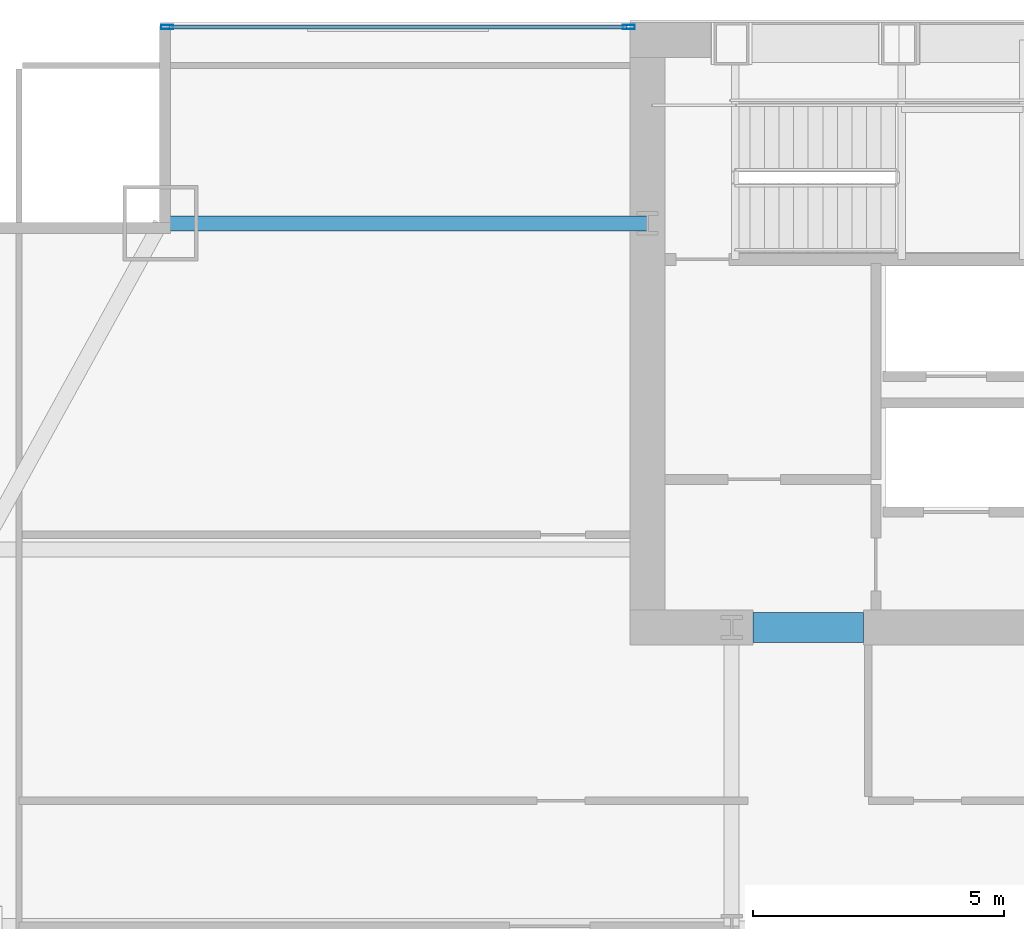
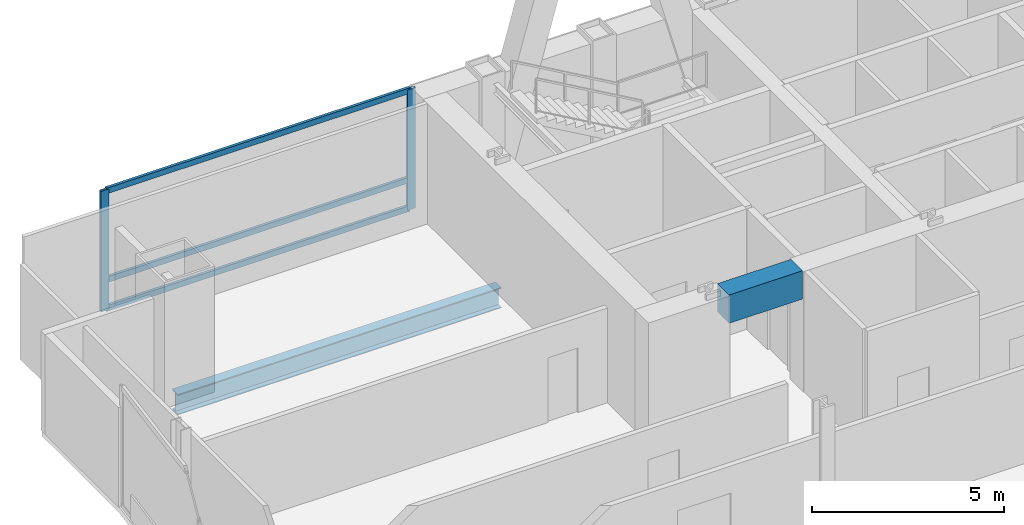
# One storey, part 19 of 32: 5 members, 2 beams, 1 element without a shape of its own.
"""IFC4 building model written with IfcOpenShell, lengths in metres."""

from ifc_helpers import new_model, si_unit, direction, frame, origin, origin_2d, place, context, subcontext, project, spatial, rectangle, hollow_rectangle, i_section, extrude, material, material_profile, profile_set, type_object, element, aggregate, save


model = new_model("IFC4")

# Units and contexts
model_context = context("Model", 3, precision=1e-05, world=origin(), true_north=direction((0.0, 1.0)))
body_context = subcontext(model_context, "Body", "Model", "MODEL_VIEW")
ifc_project = project(units=[si_unit("LENGTHUNIT", "METRE"), si_unit("AREAUNIT", "SQUARE_METRE"), si_unit("VOLUMEUNIT", "CUBIC_METRE"), si_unit("PLANEANGLEUNIT", "RADIAN"), si_unit("MASSUNIT", "GRAM", prefix="KILO")], contexts=[model_context])

# Site, building, storey
site_placement = place(None, origin())
site = spatial("IfcSite", under=ifc_project, at=site_placement, CompositionType="ELEMENT")
building_placement = place(site_placement, origin())
building = spatial("IfcBuilding", under=site, at=building_placement, Name="Khoronbel Lancet Exchange", CompositionType="ELEMENT")
storey_placement = place(building_placement, frame((0.0, 0.0, 94.60009765625)))
storey = spatial("IfcBuildingStorey", under=building, at=storey_placement, Name="L22", CompositionType="ELEMENT", Elevation=94.60009765625)

# Beams
ifc_material_1 = material(Name="Concrete C80/95", Category="concrete")
ifc_material_profile_1 = material_profile(ifc_material_1, rectangle(XDim=0.60009765625, YDim=0.89990234375, at=origin_2d()), Name="RC 600x900")
ifc_profile_set_1 = profile_set([ifc_material_profile_1], Name="Concrete C80/95")
beam_type_1 = type_object("IfcBeamType", Name="BM-BL1", PredefinedType="LINTEL", material=ifc_profile_set_1)
beam_1_placement = place(storey_placement, frame((18.64990234375, 41.64990234375, 3.369873046875), z_axis=(1.0, 0.0, 0.0), x_axis=(0.0, 1.0, 0.0)))
element("IfcBeam", 1, at=beam_1_placement, inside=storey, type_object=beam_type_1, Name="Level L22 rear core coupling lintel L1", PredefinedType="LINTEL", context=body_context, shape_type="SweptSolid", body=[
    extrude(rectangle(XDim=0.60009765625, YDim=0.89990234375, at=origin_2d()), origin(), (0.0, 0.0, 1.0), 2.2001953125),
])
ifc_material_2 = material(Name="Steel S355", Category="steel")
ifc_material_profile_2 = material_profile(ifc_material_2, i_section(OverallWidth=0.300048828125, OverallDepth=0.64990234375, WebThickness=0.01611328125, FlangeThickness=0.031005859375, at=origin_2d()), Name="HEB 650")
ifc_profile_set_2 = profile_set([ifc_material_profile_2], Name="Steel S355")
beam_type_2 = type_object("IfcBeamType", Name="BM-BSP1", PredefinedType="SPANDREL", material=ifc_profile_set_2)
beam_2_placement = place(storey_placement, frame((6.85009765625, 49.699951171875, -0.505126953125), z_axis=(1.0, 0.0, 0.0), x_axis=(0.0, 1.0, 0.0)))
element("IfcBeam", 2, at=beam_2_placement, inside=storey, type_object=beam_type_2, Name="Level L22 north flank tie spandrel SP22", PredefinedType="SPANDREL", context=body_context, shape_type="SweptSolid", body=[
    extrude(i_section(OverallWidth=0.300048828125, OverallDepth=0.64990234375, WebThickness=0.01611328125, FlangeThickness=0.031005859375, at=origin_2d()), origin(), (0.0, 0.0, 1.0), 9.699951171875),
])

# Curtain wall, members
ifc_material_3 = material(Name="Low-E Solar Control Insulating Glass", Category="glass")
curtain_wall_type = type_object("IfcCurtainWallType", Name="CW-2", PredefinedType="NOTDEFINED", material=ifc_material_3)
curtain_wall_placement = place(storey_placement, origin())
curtain_wall = element("IfcCurtainWall", 3, at=curtain_wall_placement, inside=storey, type_object=curtain_wall_type, Name="Unitised curtain wall CW-L22-NWFLK", PredefinedType="NOTDEFINED")
ifc_material_4 = material(Name="Bronze-Anodised Aluminium 6063-T6", Category="aluminium")
ifc_material_profile_3 = material_profile(ifc_material_4, hollow_rectangle(XDim=0.0849609375, YDim=0.239990234375, WallThickness=0.006103515625, at=origin_2d()), Name="ALU MULLION 85x240")
ifc_profile_set_3 = profile_set([ifc_material_profile_3], Name="Bronze-Anodised Aluminium 6063-T6")
member_type_1 = type_object("IfcMemberType", Name="MEM-CWM1", PredefinedType="MULLION", material=ifc_profile_set_3)
member_1_placement = place(storey_placement, frame((16.177490234375, 53.610107421875, 0.0), z_axis=(0.0, 0.0, 1.0), x_axis=(0.0, -1.0, 0.0)))
member_1 = element("IfcMember", 4, at=member_1_placement, type_object=member_type_1, Name="CW2 mullion 1", PredefinedType="MULLION", context=body_context, shape_type="SweptSolid", body=[
    extrude(hollow_rectangle(XDim=0.0849609375, YDim=0.239990234375, WallThickness=0.006103515625, at=origin_2d()), origin(), (0.0, 0.0, 1.0), 3.81982421875),
])
member_2_placement = place(storey_placement, frame((6.982421875, 53.610107421875, 0.0), z_axis=(0.0, 0.0, 1.0), x_axis=(0.0, -1.0, 0.0)))
member_2 = element("IfcMember", 5, at=member_2_placement, type_object=member_type_1, Name="CW2 mullion 2", PredefinedType="MULLION", context=body_context, shape_type="SweptSolid", body=[
    extrude(hollow_rectangle(XDim=0.0849609375, YDim=0.239990234375, WallThickness=0.006103515625, at=origin_2d()), origin(), (0.0, 0.0, 1.0), 3.81982421875),
])
ifc_material_profile_4 = material_profile(ifc_material_4, hollow_rectangle(XDim=0.0849609375, YDim=0.179931640625, WallThickness=0.0048828125, at=origin_2d()), Name="ALU TRANSOM 85x180")
ifc_profile_set_4 = profile_set([ifc_material_profile_4], Name="Bronze-Anodised Aluminium 6063-T6")
member_type_2 = type_object("IfcMemberType", Name="MEM-CWT1", PredefinedType="USERDEFINED", material=ifc_profile_set_4)
member_3_placement = place(storey_placement, frame((16.135009765625, 53.610107421875, 0.04248046875), z_axis=(-1.0, 0.0, 0.0), x_axis=(0.0, -1.0, 0.0)))
member_3 = element("IfcMember", 6, at=member_3_placement, type_object=member_type_2, Name="CW2 transom 1.1", ObjectType="TRANSOM", PredefinedType="USERDEFINED", context=body_context, shape_type="SweptSolid", body=[
    extrude(hollow_rectangle(XDim=0.0849609375, YDim=0.179931640625, WallThickness=0.0048828125, at=origin_2d()), origin(), (0.0, 0.0, 1.0), 9.110107421875),
])
member_4_placement = place(storey_placement, frame((16.135009765625, 53.610107421875, 0.949951171875), z_axis=(-1.0, 0.0, 0.0), x_axis=(0.0, -1.0, 0.0)))
member_4 = element("IfcMember", 7, at=member_4_placement, type_object=member_type_2, Name="CW2 transom 1.2", ObjectType="TRANSOM", PredefinedType="USERDEFINED", context=body_context, shape_type="SweptSolid", body=[
    extrude(hollow_rectangle(XDim=0.0849609375, YDim=0.179931640625, WallThickness=0.0048828125, at=origin_2d()), origin(), (0.0, 0.0, 1.0), 9.110107421875),
])
member_5_placement = place(storey_placement, frame((16.135009765625, 53.610107421875, 3.77734375), z_axis=(-1.0, 0.0, 0.0), x_axis=(0.0, -1.0, 0.0)))
member_5 = element("IfcMember", 8, at=member_5_placement, type_object=member_type_2, Name="CW2 transom 1.3", ObjectType="TRANSOM", PredefinedType="USERDEFINED", context=body_context, shape_type="SweptSolid", body=[
    extrude(hollow_rectangle(XDim=0.0849609375, YDim=0.179931640625, WallThickness=0.0048828125, at=origin_2d()), origin(), (0.0, 0.0, 1.0), 9.110107421875),
])
aggregate(curtain_wall, [member_1, member_2, member_3, member_4, member_5])

save(model, "model.ifc")
